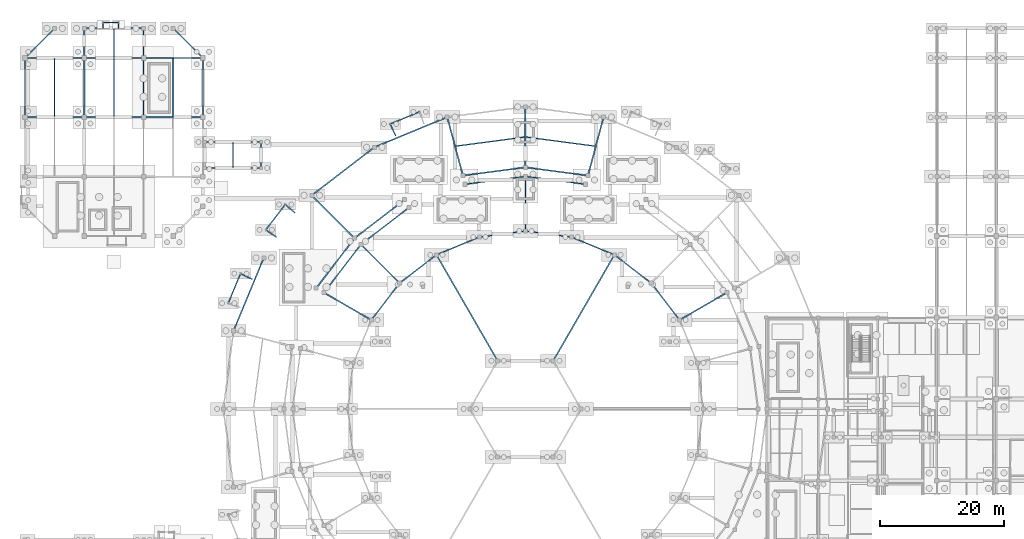
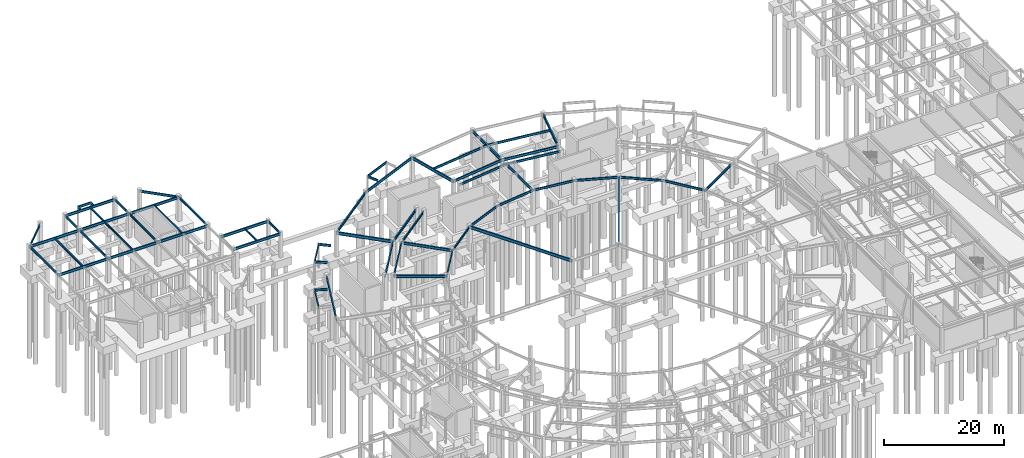
# One storey, part 40 of 55: 64 beams.
"""IFC4 building model written with IfcOpenShell, lengths in metres."""

from ifc_helpers import new_model, si_unit, direction, frame, origin, origin_2d, place, context, subcontext, project, spatial, i_section, extrude, material, material_profile, profile_set, type_object, element, save


model = new_model("IFC4")

# Units and contexts
model_context = context("Model", 3, precision=1e-05, world=origin(), true_north=direction((0.0, 1.0)))
body_context = subcontext(model_context, "Body", "Model", "MODEL_VIEW")
ifc_project = project(units=[si_unit("LENGTHUNIT", "METRE"), si_unit("AREAUNIT", "SQUARE_METRE"), si_unit("VOLUMEUNIT", "CUBIC_METRE"), si_unit("PLANEANGLEUNIT", "RADIAN"), si_unit("MASSUNIT", "GRAM", prefix="KILO")], contexts=[model_context])

# Site, building, storey
site_placement = place(None, origin())
site = spatial("IfcSite", under=ifc_project, at=site_placement, CompositionType="ELEMENT")
building_placement = place(site_placement, origin())
building = spatial("IfcBuilding", under=site, at=building_placement, Name="Almandine Court Research Institute", CompositionType="ELEMENT")
storey_placement = place(building_placement, frame((0.0, 0.0, -5.25)))
storey = spatial("IfcBuildingStorey", under=building, at=storey_placement, Name="B1", CompositionType="ELEMENT", Elevation=-5.25)

# Beams
ifc_material = material(Name="Steel ASTM A992 Grade 50", Category="steel")
ifc_material_profile_1 = material_profile(ifc_material, i_section(OverallWidth=0.18994140625, OverallDepth=0.45703125, WebThickness=0.009033203125, FlangeThickness=0.014892578125, at=origin_2d()), Name="W460x74")
ifc_profile_set_1 = profile_set([ifc_material_profile_1], Name="Steel ASTM A992 Grade 50")
beam_type_1 = type_object("IfcBeamType", Name="Beam-B-01", PredefinedType="BEAM", material=ifc_profile_set_1)
for number, where, z_axis, x_axis, name in (
    (1, (6.0, 103.199951171875, 4.701904296875), (0.0, 1.0, 0.0), (-1.0, 0.0, 0.0), "B1 V3 Primary Y Girder"),
    (2, (15.60009765625, 103.199951171875, 4.701904296875), (0.0, 1.0, 0.0), (-1.0, 0.0, 0.0), "B1 V3 Primary Y Girder"),
    (3, (25.199951171875, 103.199951171875, 4.701904296875), (0.0, 1.0, 0.0), (-1.0, 0.0, 0.0), "B1 V3 Primary Y Girder"),
    (4, (34.800048828125, 103.199951171875, 4.701904296875), (0.0, 1.0, 0.0), (-1.0, 0.0, 0.0), "B1 V3 Primary Y Girder"),
):
    element("IfcBeam", number, at=place(storey_placement, frame(where, z_axis=z_axis, x_axis=x_axis)), inside=storey, type_object=beam_type_1, Name=name, PredefinedType="BEAM", context=body_context, shape_type="SweptSolid", body=[
        extrude(i_section(OverallWidth=0.18994140625, OverallDepth=0.45703125, WebThickness=0.009033203125, FlangeThickness=0.014892578125, at=origin_2d()), origin(), (0.0, 0.0, 1.0), 9.60009765625),
    ])
for number, where, z_axis, x_axis, name in (
    (5, (15.60009765625, 112.800048828125, 4.701904296875), (0.0, 1.0, 0.0), (-1.0, 0.0, 0.0), "B1 V3 Primary Y Girder"),
    (6, (25.199951171875, 112.800048828125, 4.701904296875), (0.0, 1.0, 0.0), (-1.0, 0.0, 0.0), "B1 V3 Primary Y Girder"),
):
    element("IfcBeam", number, at=place(storey_placement, frame(where, z_axis=z_axis, x_axis=x_axis)), inside=storey, type_object=beam_type_1, Name=name, PredefinedType="BEAM", context=body_context, shape_type="SweptSolid", body=[
        extrude(i_section(OverallWidth=0.18994140625, OverallDepth=0.45703125, WebThickness=0.009033203125, FlangeThickness=0.014892578125, at=origin_2d()), origin(), (0.0, 0.0, 1.0), 4.800048828125),
    ])
beam_1_placement = place(storey_placement, frame((44.199951171875, 95.0, 4.77099609375), z_axis=(0.0, 1.0, 0.0), x_axis=(-1.0, 0.0, 0.0)))
element("IfcBeam", 7, at=beam_1_placement, inside=storey, type_object=beam_type_1, Name="B1 DAL-NW Primary Y Girder", PredefinedType="BEAM", context=body_context, shape_type="SweptSolid", body=[
    extrude(i_section(OverallWidth=0.18994140625, OverallDepth=0.45703125, WebThickness=0.009033203125, FlangeThickness=0.014892578125, at=origin_2d()), origin(), (0.0, 0.0, 1.0), 4.199951171875),
])
for number, where, z_axis, x_axis, name in (
    (8, (98.27197265625, 98.531982421875, 4.77099609375), (-0.991446610594, 0.130512904889, 0.0), (-0.130512904889, -0.991446610594, 0.0), "B1 Drum MID Ring Beam 05"),
    (9, (86.8798828125, 100.0, 4.77099609375), (-0.991446610594, -0.130512904889, 0.0), (0.130512904889, -0.991446610594, 0.0), "B1 Drum MID Ring Beam 06"),
):
    element("IfcBeam", number, at=place(storey_placement, frame(where, z_axis=z_axis, x_axis=x_axis)), inside=storey, type_object=beam_type_1, Name=name, PredefinedType="BEAM", context=body_context, shape_type="SweptSolid", body=[
        extrude(i_section(OverallWidth=0.18994140625, OverallDepth=0.45703125, WebThickness=0.009033203125, FlangeThickness=0.014892578125, at=origin_2d()), origin(), (0.0, 0.0, 1.0), 11.248046875),
    ])
for number, where, z_axis, x_axis, name in (
    (10, (111.94189453125, 70.39990234375, 4.77099609375), (-0.608738941187, 0.793370595297, 0.0), (-0.793370595297, -0.608738941187, 0.0), "B1 Atrium Gallery Edge Beam"),
    (11, (107.364990234375, 76.364990234375, 4.77099609375), (-0.793370595297, 0.608738941187, 0.0), (-0.608738941187, -0.793370595297, 0.0), "B1 Atrium Gallery Edge Beam"),
):
    element("IfcBeam", number, at=place(storey_placement, frame(where, z_axis=z_axis, x_axis=x_axis)), inside=storey, type_object=beam_type_1, Name=name, PredefinedType="BEAM", context=body_context, shape_type="SweptSolid", body=[
        extrude(i_section(OverallWidth=0.18994140625, OverallDepth=0.45703125, WebThickness=0.009033203125, FlangeThickness=0.014892578125, at=origin_2d()), origin(), (0.0, 0.0, 1.0), 7.5185546875),
    ])
beam_2_placement = place(storey_placement, frame((101.39990234375, 80.94189453125, 4.77099609375), z_axis=(-0.923872366395, 0.382700732442, 0.0), x_axis=(-0.382700732442, -0.923872366395, 0.0)))
element("IfcBeam", 12, at=beam_2_placement, inside=storey, type_object=beam_type_1, Name="B1 Atrium Gallery Edge Beam", PredefinedType="BEAM", context=body_context, shape_type="SweptSolid", body=[
    extrude(i_section(OverallWidth=0.18994140625, OverallDepth=0.45703125, WebThickness=0.009033203125, FlangeThickness=0.014892578125, at=origin_2d()), origin(), (0.0, 0.0, 1.0), 7.51806640625),
])
beam_3_placement = place(storey_placement, frame((96.7451171875, 92.366943359375, 4.77099609375), z_axis=(-0.991444993461, 0.130525188913, 0.0), x_axis=(-0.130525188913, -0.991444993461, 0.0)))
element("IfcBeam", 13, at=beam_3_placement, inside=storey, type_object=beam_type_1, Name="B1 Atrium Outer Ring Beam", PredefinedType="BEAM", context=body_context, shape_type="SweptSolid", body=[
    extrude(i_section(OverallWidth=0.18994140625, OverallDepth=0.45703125, WebThickness=0.009033203125, FlangeThickness=0.014892578125, at=origin_2d()), origin(), (0.0, 0.0, 1.0), 9.8291015625),
])
beam_4_placement = place(storey_placement, frame((94.4541015625, 83.819091796875, 4.77099609375), z_axis=(-0.991451642713, 0.130474672489, 0.0), x_axis=(-0.130474672489, -0.991451642713, 0.0)))
element("IfcBeam", 14, at=beam_4_placement, inside=storey, type_object=beam_type_1, Name="B1 Atrium Gallery Edge Beam", PredefinedType="BEAM", context=body_context, shape_type="SweptSolid", body=[
    extrude(i_section(OverallWidth=0.18994140625, OverallDepth=0.45703125, WebThickness=0.009033203125, FlangeThickness=0.014892578125, at=origin_2d()), origin(), (0.0, 0.0, 1.0), 7.518310546875),
])
beam_5_placement = place(storey_placement, frame((87.0, 93.64990234375, 4.77099609375), z_axis=(-0.991444993461, -0.130525188913, 0.0), x_axis=(0.130525188913, -0.991444993461, 0.0)))
element("IfcBeam", 15, at=beam_5_placement, inside=storey, type_object=beam_type_1, Name="B1 Atrium Outer Ring Beam", PredefinedType="BEAM", context=body_context, shape_type="SweptSolid", body=[
    extrude(i_section(OverallWidth=0.18994140625, OverallDepth=0.45703125, WebThickness=0.009033203125, FlangeThickness=0.014892578125, at=origin_2d()), origin(), (0.0, 0.0, 1.0), 9.8291015625),
])
beam_6_placement = place(storey_placement, frame((87.0, 84.800048828125, 4.77099609375), z_axis=(-0.991451642713, -0.130474672489, 0.0), x_axis=(0.130474672489, -0.991451642713, 0.0)))
element("IfcBeam", 16, at=beam_6_placement, inside=storey, type_object=beam_type_1, Name="B1 Atrium Gallery Edge Beam", PredefinedType="BEAM", context=body_context, shape_type="SweptSolid", body=[
    extrude(i_section(OverallWidth=0.18994140625, OverallDepth=0.45703125, WebThickness=0.009033203125, FlangeThickness=0.014892578125, at=origin_2d()), origin(), (0.0, 0.0, 1.0), 7.518310546875),
])
beam_7_placement = place(storey_placement, frame((79.5458984375, 83.819091796875, 4.77099609375), z_axis=(-0.923872366395, -0.382700732442, 0.0), x_axis=(0.382700732442, -0.923872366395, 0.0)))
element("IfcBeam", 17, at=beam_7_placement, inside=storey, type_object=beam_type_1, Name="B1 Atrium Gallery Edge Beam", PredefinedType="BEAM", context=body_context, shape_type="SweptSolid", body=[
    extrude(i_section(OverallWidth=0.18994140625, OverallDepth=0.45703125, WebThickness=0.009033203125, FlangeThickness=0.014892578125, at=origin_2d()), origin(), (0.0, 0.0, 1.0), 7.51806640625),
])
beam_8_placement = place(storey_placement, frame((68.175048828125, 88.60595703125, 4.77099609375), z_axis=(-0.793391623282, -0.608711534396, 0.0), x_axis=(0.608711534396, -0.793391623282, 0.0)))
element("IfcBeam", 18, at=beam_8_placement, inside=storey, type_object=beam_type_1, Name="B1 Atrium Outer Ring Beam", PredefinedType="BEAM", context=body_context, shape_type="SweptSolid", body=[
    extrude(i_section(OverallWidth=0.18994140625, OverallDepth=0.45703125, WebThickness=0.009033203125, FlangeThickness=0.014892578125, at=origin_2d()), origin(), (0.0, 0.0, 1.0), 9.828857421875),
])
beam_9_placement = place(storey_placement, frame((72.60009765625, 80.94189453125, 4.77099609375), z_axis=(-0.793370595297, -0.608738941187, 0.0), x_axis=(0.608738941187, -0.793370595297, 0.0)))
element("IfcBeam", 19, at=beam_9_placement, inside=storey, type_object=beam_type_1, Name="B1 Atrium Gallery Edge Beam", PredefinedType="BEAM", context=body_context, shape_type="SweptSolid", body=[
    extrude(i_section(OverallWidth=0.18994140625, OverallDepth=0.45703125, WebThickness=0.009033203125, FlangeThickness=0.014892578125, at=origin_2d()), origin(), (0.0, 0.0, 1.0), 7.5185546875),
])
beam_10_placement = place(storey_placement, frame((60.376953125, 82.623046875, 4.77099609375), z_axis=(-0.608711534396, -0.793391623282, 0.0), x_axis=(0.793391623282, -0.608711534396, 0.0)))
element("IfcBeam", 20, at=beam_10_placement, inside=storey, type_object=beam_type_1, Name="B1 Atrium Outer Ring Beam", PredefinedType="BEAM", context=body_context, shape_type="SweptSolid", body=[
    extrude(i_section(OverallWidth=0.18994140625, OverallDepth=0.45703125, WebThickness=0.009033203125, FlangeThickness=0.014892578125, at=origin_2d()), origin(), (0.0, 0.0, 1.0), 9.828857421875),
])
beam_11_placement = place(storey_placement, frame((66.635009765625, 76.364990234375, 4.77099609375), z_axis=(-0.608738941187, -0.793370595297, 0.0), x_axis=(0.793370595297, -0.608738941187, 0.0)))
element("IfcBeam", 21, at=beam_11_placement, inside=storey, type_object=beam_type_1, Name="B1 Atrium Gallery Edge Beam", PredefinedType="BEAM", context=body_context, shape_type="SweptSolid", body=[
    extrude(i_section(OverallWidth=0.18994140625, OverallDepth=0.45703125, WebThickness=0.009033203125, FlangeThickness=0.014892578125, at=origin_2d()), origin(), (0.0, 0.0, 1.0), 7.5185546875),
])
for number, where, z_axis, x_axis, name in (
    (22, (18.64990234375, 118.550048828125, 4.822021484375), (0.0, -1.0, 0.0), (1.0, 0.0, 0.0), "B1 Threshold Support Beam PAD-V3-N2-1"),
    (23, (21.14990234375, 118.550048828125, 4.822021484375), (0.0, -1.0, 0.0), (1.0, 0.0, 0.0), "B1 Threshold Support Beam PAD-V3-N2-2"),
):
    element("IfcBeam", number, at=place(storey_placement, frame(where, z_axis=z_axis, x_axis=x_axis)), inside=storey, type_object=beam_type_1, Name=name, PredefinedType="BEAM", context=body_context, shape_type="SweptSolid", body=[
        extrude(i_section(OverallWidth=0.18994140625, OverallDepth=0.45703125, WebThickness=0.009033203125, FlangeThickness=0.014892578125, at=origin_2d()), origin(), (0.0, 0.0, 1.0), 0.949951171875),
    ])
beam_12_placement = place(storey_placement, frame((18.64990234375, 118.550048828125, 4.822021484375), z_axis=(1.0, 0.0, 0.0), x_axis=(0.0, 1.0, 0.0)))
element("IfcBeam", 24, at=beam_12_placement, inside=storey, type_object=beam_type_1, Name="B1 Threshold Edge Girder PAD-V3-N2-1", PredefinedType="BEAM", context=body_context, shape_type="SweptSolid", body=[
    extrude(i_section(OverallWidth=0.18994140625, OverallDepth=0.45703125, WebThickness=0.009033203125, FlangeThickness=0.014892578125, at=origin_2d()), origin(), (0.0, 0.0, 1.0), 2.5),
])
beam_13_placement = place(storey_placement, frame((65.10302734375, 102.114990234375, 4.76904296875), z_axis=(0.42878428268, -0.903406906619, 0.0), x_axis=(0.903406906619, 0.42878428268, 0.0)))
element("IfcBeam", 25, at=beam_13_placement, inside=storey, type_object=beam_type_1, Name="B1 Drum Threshold Radial Beam PAD-DRUM-S07-2", PredefinedType="BEAM", context=body_context, shape_type="SweptSolid", body=[
    extrude(i_section(OverallWidth=0.18994140625, OverallDepth=0.45703125, WebThickness=0.009033203125, FlangeThickness=0.014892578125, at=origin_2d()), origin(), (0.0, 0.0, 1.0), 2.119873046875),
])
beam_14_placement = place(storey_placement, frame((69.875, 104.092041015625, 4.822021484375), z_axis=(-0.923849755834, -0.382755311713, 0.0), x_axis=(0.382755311713, -0.923849755834, 0.0)))
element("IfcBeam", 26, at=beam_14_placement, inside=storey, type_object=beam_type_1, Name="B1 Drum Threshold Edge Beam PAD-DRUM-S07", PredefinedType="BEAM", context=body_context, shape_type="SweptSolid", body=[
    extrude(i_section(OverallWidth=0.18994140625, OverallDepth=0.45703125, WebThickness=0.009033203125, FlangeThickness=0.014892578125, at=origin_2d()), origin(), (0.0, 0.0, 1.0), 5.165283203125),
])
beam_15_placement = place(storey_placement, frame((48.123046875, 89.0869140625, 4.76904296875), z_axis=(0.761640946437, -0.647999281413, 0.0), x_axis=(0.647999281413, 0.761640946437, 0.0)))
element("IfcBeam", 27, at=beam_15_placement, inside=storey, type_object=beam_type_1, Name="B1 Drum Threshold Radial Beam PAD-DRUM-S09-1", PredefinedType="BEAM", context=body_context, shape_type="SweptSolid", body=[
    extrude(i_section(OverallWidth=0.18994140625, OverallDepth=0.45703125, WebThickness=0.009033203125, FlangeThickness=0.014892578125, at=origin_2d()), origin(), (0.0, 0.0, 1.0), 2.120361328125),
])
beam_16_placement = place(storey_placement, frame((44.97900390625, 84.988037109375, 4.76904296875), z_axis=(0.82330187502, -0.56760375491, 0.0), x_axis=(0.56760375491, 0.82330187502, 0.0)))
element("IfcBeam", 28, at=beam_16_placement, inside=storey, type_object=beam_type_1, Name="B1 Drum Threshold Radial Beam PAD-DRUM-S09-2", PredefinedType="BEAM", context=body_context, shape_type="SweptSolid", body=[
    extrude(i_section(OverallWidth=0.18994140625, OverallDepth=0.45703125, WebThickness=0.009033203125, FlangeThickness=0.014892578125, at=origin_2d()), origin(), (0.0, 0.0, 1.0), 2.11962890625),
])
beam_17_placement = place(storey_placement, frame((48.123046875, 89.0869140625, 4.822021484375), z_axis=(-0.608623016028, -0.793459529126, 0.0), x_axis=(0.793459529126, -0.608623016028, 0.0)))
element("IfcBeam", 29, at=beam_17_placement, inside=storey, type_object=beam_type_1, Name="B1 Drum Threshold Edge Beam PAD-DRUM-S09", PredefinedType="BEAM", context=body_context, shape_type="SweptSolid", body=[
    extrude(i_section(OverallWidth=0.18994140625, OverallDepth=0.45703125, WebThickness=0.009033203125, FlangeThickness=0.014892578125, at=origin_2d()), origin(), (0.0, 0.0, 1.0), 5.165771484375),
])
beam_18_placement = place(storey_placement, frame((40.885009765625, 77.89697265625, 4.76904296875), z_axis=(0.903406906619, -0.42878428268, 0.0), x_axis=(0.42878428268, 0.903406906619, 0.0)))
element("IfcBeam", 30, at=beam_18_placement, inside=storey, type_object=beam_type_1, Name="B1 Drum Threshold Radial Beam PAD-DRUM-S10-1", PredefinedType="BEAM", context=body_context, shape_type="SweptSolid", body=[
    extrude(i_section(OverallWidth=0.18994140625, OverallDepth=0.45703125, WebThickness=0.009033203125, FlangeThickness=0.014892578125, at=origin_2d()), origin(), (0.0, 0.0, 1.0), 2.119873046875),
])
beam_19_placement = place(storey_placement, frame((40.885009765625, 77.89697265625, 4.822021484375), z_axis=(-0.382755311713, -0.923849755834, 0.0), x_axis=(0.923849755834, -0.382755311713, 0.0)))
element("IfcBeam", 31, at=beam_19_placement, inside=storey, type_object=beam_type_1, Name="B1 Drum Threshold Edge Beam PAD-DRUM-S10", PredefinedType="BEAM", context=body_context, shape_type="SweptSolid", body=[
    extrude(i_section(OverallWidth=0.18994140625, OverallDepth=0.45703125, WebThickness=0.009033203125, FlangeThickness=0.014892578125, at=origin_2d()), origin(), (0.0, 0.0, 1.0), 5.165283203125),
])
ifc_material_profile_2 = material_profile(ifc_material, i_section(OverallWidth=0.178955078125, OverallDepth=0.409912109375, WebThickness=0.009033203125, FlangeThickness=0.013916015625, at=origin_2d()), Name="W410x67")
ifc_profile_set_2 = profile_set([ifc_material_profile_2], Name="Steel ASTM A992 Grade 50")
beam_type_2 = type_object("IfcBeamType", Name="Beam-B-02", PredefinedType="JOIST", material=ifc_profile_set_2)
for number, where, z_axis, x_axis, name in (
    (32, (10.800048828125, 103.302978515625, 4.72509765625), (0.0, 1.0, 0.0), (-1.0, 0.0, 0.0), "B1 V3 Composite Secondary Beam"),
    (33, (20.39990234375, 103.302978515625, 4.72509765625), (0.0, 1.0, 0.0), (-1.0, 0.0, 0.0), "B1 V3 Composite Secondary Beam"),
    (34, (30.0, 103.302978515625, 4.72509765625), (0.0, 1.0, 0.0), (-1.0, 0.0, 0.0), "B1 V3 Composite Secondary Beam"),
):
    element("IfcBeam", number, at=place(storey_placement, frame(where, z_axis=z_axis, x_axis=x_axis)), inside=storey, type_object=beam_type_2, Name=name, PredefinedType="JOIST", context=body_context, shape_type="SweptSolid", body=[
        extrude(i_section(OverallWidth=0.178955078125, OverallDepth=0.409912109375, WebThickness=0.009033203125, FlangeThickness=0.013916015625, at=origin_2d()), origin(), (0.0, 0.0, 1.0), 9.39404296875),
    ])
ifc_material_profile_3 = material_profile(ifc_material, i_section(OverallWidth=0.172119140625, OverallDepth=0.35791015625, WebThickness=0.008056640625, FlangeThickness=0.012939453125, at=origin_2d()), Name="W360x57")
ifc_profile_set_3 = profile_set([ifc_material_profile_3], Name="Steel ASTM A992 Grade 50")
beam_type_3 = type_object("IfcBeamType", Name="Beam-B-03", PredefinedType="JOIST", material=ifc_profile_set_3)
beam_20_placement = place(storey_placement, frame((20.39990234375, 112.903076171875, 4.7509765625), z_axis=(0.0, 1.0, 0.0), x_axis=(-1.0, 0.0, 0.0)))
element("IfcBeam", 35, at=beam_20_placement, inside=storey, type_object=beam_type_3, Name="B1 V3 Composite Secondary Beam", PredefinedType="JOIST", context=body_context, shape_type="SweptSolid", body=[
    extrude(i_section(OverallWidth=0.172119140625, OverallDepth=0.35791015625, WebThickness=0.008056640625, FlangeThickness=0.012939453125, at=origin_2d()), origin(), (0.0, 0.0, 1.0), 4.593017578125),
])
beam_21_placement = place(storey_placement, frame((39.64990234375, 95.10302734375, 4.821044921875), z_axis=(0.0, 1.0, 0.0), x_axis=(-1.0, 0.0, 0.0)))
element("IfcBeam", 36, at=beam_21_placement, inside=storey, type_object=beam_type_3, Name="B1 DAL-NW Composite Secondary Beam", PredefinedType="JOIST", context=body_context, shape_type="SweptSolid", body=[
    extrude(i_section(OverallWidth=0.172119140625, OverallDepth=0.35791015625, WebThickness=0.008056640625, FlangeThickness=0.012939453125, at=origin_2d()), origin(), (0.0, 0.0, 1.0), 3.993896484375),
])
ifc_material_profile_4 = material_profile(ifc_material, i_section(OverallWidth=0.22998046875, OverallDepth=0.616943359375, WebThickness=0.012939453125, FlangeThickness=0.02197265625, at=origin_2d()), Name="W610x140")
ifc_profile_set_4 = profile_set([ifc_material_profile_4], Name="Steel ASTM A992 Grade 50")
beam_type_4 = type_object("IfcBeamType", Name="Beam-G-02", PredefinedType="BEAM", material=ifc_profile_set_4)
beam_22_placement = place(storey_placement, frame((97.1201171875, 93.76806640625, 4.69189453125), z_axis=(0.258774274024, 0.965937821551, 0.0), x_axis=(-0.965937821551, 0.258774274024, 0.0)))
element("IfcBeam", 37, at=beam_22_placement, inside=storey, type_object=beam_type_4, Name="B1 Drum Radial Girder 05", PredefinedType="BEAM", context=body_context, shape_type="SweptSolid", body=[
    extrude(i_section(OverallWidth=0.22998046875, OverallDepth=0.616943359375, WebThickness=0.012939453125, FlangeThickness=0.02197265625, at=origin_2d()), origin(), (0.0, 0.0, 1.0), 9.799560546875),
])
beam_23_placement = place(storey_placement, frame((87.0, 95.10009765625, 4.69189453125), z_axis=(0.0, 1.0, 0.0), x_axis=(-1.0, 0.0, 0.0)))
element("IfcBeam", 38, at=beam_23_placement, inside=storey, type_object=beam_type_4, Name="B1 Drum Radial Girder 06", PredefinedType="BEAM", context=body_context, shape_type="SweptSolid", body=[
    extrude(i_section(OverallWidth=0.22998046875, OverallDepth=0.616943359375, WebThickness=0.012939453125, FlangeThickness=0.02197265625, at=origin_2d()), origin(), (0.0, 0.0, 1.0), 9.7998046875),
])
beam_24_placement = place(storey_placement, frame((76.8798828125, 93.76806640625, 4.69189453125), z_axis=(-0.258774274024, 0.965937821551, 0.0), x_axis=(-0.965937821551, -0.258774274024, 0.0)))
element("IfcBeam", 39, at=beam_24_placement, inside=storey, type_object=beam_type_4, Name="B1 Drum Radial Girder 07", PredefinedType="BEAM", context=body_context, shape_type="SweptSolid", body=[
    extrude(i_section(OverallWidth=0.22998046875, OverallDepth=0.616943359375, WebThickness=0.012939453125, FlangeThickness=0.02197265625, at=origin_2d()), origin(), (0.0, 0.0, 1.0), 9.799560546875),
])
beam_25_placement = place(storey_placement, frame((59.35205078125, 83.64794921875, 4.69189453125), z_axis=(-0.707106781187, 0.707106781187, 0.0), x_axis=(-0.707106781187, -0.707106781187, 0.0)))
element("IfcBeam", 40, at=beam_25_placement, inside=storey, type_object=beam_type_4, Name="B1 Drum Radial Girder 09", PredefinedType="BEAM", context=body_context, shape_type="SweptSolid", body=[
    extrude(i_section(OverallWidth=0.22998046875, OverallDepth=0.616943359375, WebThickness=0.012939453125, FlangeThickness=0.02197265625, at=origin_2d()), origin(), (0.0, 0.0, 1.0), 9.80029296875),
])
ifc_material_profile_5 = material_profile(ifc_material, i_section(OverallWidth=0.22802734375, OverallDepth=0.60791015625, WebThickness=0.010986328125, FlangeThickness=0.01708984375, at=origin_2d()), Name="W610x113")
ifc_profile_set_5 = profile_set([ifc_material_profile_5], Name="Steel ASTM A992 Grade 50")
beam_type_5 = type_object("IfcBeamType", Name="Beam-G-03", PredefinedType="BEAM", material=ifc_profile_set_5)
for number, where, z_axis, x_axis, name in (
    (41, (91.5, 63.7939453125, 4.696044921875), (0.499982168773, 0.866035698404, 0.0), (-0.866035698404, 0.499982168773, 0.0), "B1 Atrium Radial Tie Girder"),
    (42, (82.5, 63.7939453125, 4.696044921875), (-0.499982168773, 0.866035698404, 0.0), (-0.866035698404, -0.499982168773, 0.0), "B1 Atrium Radial Tie Girder"),
):
    element("IfcBeam", number, at=place(storey_placement, frame(where, z_axis=z_axis, x_axis=x_axis)), inside=storey, type_object=beam_type_5, Name=name, PredefinedType="BEAM", context=body_context, shape_type="SweptSolid", body=[
        extrude(i_section(OverallWidth=0.22802734375, OverallDepth=0.60791015625, WebThickness=0.010986328125, FlangeThickness=0.01708984375, at=origin_2d()), origin(), (0.0, 0.0, 1.0), 19.800537109375),
    ])
ifc_material_profile_6 = material_profile(ifc_material, i_section(OverallWidth=0.2109375, OverallDepth=0.5390625, WebThickness=0.011962890625, FlangeThickness=0.01904296875, at=origin_2d()), Name="W530x109")
ifc_profile_set_6 = profile_set([ifc_material_profile_6], Name="Steel ASTM A992 Grade 50")
beam_type_6 = type_object("IfcBeamType", Name="Beam-G-04", PredefinedType="BEAM", material=ifc_profile_set_6)
beam_26_placement = place(storey_placement, frame((6.0, 103.199951171875, 4.659912109375), z_axis=(1.0, 0.0, 0.0), x_axis=(0.0, 1.0, 0.0)))
element("IfcBeam", 43, at=beam_26_placement, inside=storey, type_object=beam_type_6, Name="B1 V3 Primary X Girder", PredefinedType="BEAM", context=body_context, shape_type="SweptSolid", body=[
    extrude(i_section(OverallWidth=0.2109375, OverallDepth=0.5390625, WebThickness=0.011962890625, FlangeThickness=0.01904296875, at=origin_2d()), origin(), (0.0, 0.0, 1.0), 9.60009765625),
])
beam_27_placement = place(storey_placement, frame((15.60009765625, 103.199951171875, 4.659912109375), z_axis=(1.0, 0.0, 0.0), x_axis=(0.0, 1.0, 0.0)))
element("IfcBeam", 44, at=beam_27_placement, inside=storey, type_object=beam_type_6, Name="B1 V3 Primary X Girder", PredefinedType="BEAM", context=body_context, shape_type="SweptSolid", body=[
    extrude(i_section(OverallWidth=0.2109375, OverallDepth=0.5390625, WebThickness=0.011962890625, FlangeThickness=0.01904296875, at=origin_2d()), origin(), (0.0, 0.0, 1.0), 9.599853515625),
])
for number, where, z_axis, x_axis, name in (
    (45, (25.199951171875, 103.199951171875, 4.659912109375), (1.0, 0.0, 0.0), (0.0, 1.0, 0.0), "B1 V3 Primary X Girder"),
    (46, (6.0, 112.800048828125, 4.659912109375), (1.0, 0.0, 0.0), (0.0, 1.0, 0.0), "B1 V3 Primary X Girder"),
):
    element("IfcBeam", number, at=place(storey_placement, frame(where, z_axis=z_axis, x_axis=x_axis)), inside=storey, type_object=beam_type_6, Name=name, PredefinedType="BEAM", context=body_context, shape_type="SweptSolid", body=[
        extrude(i_section(OverallWidth=0.2109375, OverallDepth=0.5390625, WebThickness=0.011962890625, FlangeThickness=0.01904296875, at=origin_2d()), origin(), (0.0, 0.0, 1.0), 9.60009765625),
    ])
beam_28_placement = place(storey_placement, frame((15.60009765625, 112.800048828125, 4.659912109375), z_axis=(1.0, 0.0, 0.0), x_axis=(0.0, 1.0, 0.0)))
element("IfcBeam", 47, at=beam_28_placement, inside=storey, type_object=beam_type_6, Name="B1 V3 Primary X Girder", PredefinedType="BEAM", context=body_context, shape_type="SweptSolid", body=[
    extrude(i_section(OverallWidth=0.2109375, OverallDepth=0.5390625, WebThickness=0.011962890625, FlangeThickness=0.01904296875, at=origin_2d()), origin(), (0.0, 0.0, 1.0), 9.599853515625),
])
beam_29_placement = place(storey_placement, frame((25.199951171875, 112.800048828125, 4.659912109375), z_axis=(1.0, 0.0, 0.0), x_axis=(0.0, 1.0, 0.0)))
element("IfcBeam", 48, at=beam_29_placement, inside=storey, type_object=beam_type_6, Name="B1 V3 Primary X Girder", PredefinedType="BEAM", context=body_context, shape_type="SweptSolid", body=[
    extrude(i_section(OverallWidth=0.2109375, OverallDepth=0.5390625, WebThickness=0.011962890625, FlangeThickness=0.01904296875, at=origin_2d()), origin(), (0.0, 0.0, 1.0), 9.60009765625),
])
beam_30_placement = place(storey_placement, frame((15.60009765625, 117.60009765625, 4.659912109375), z_axis=(1.0, 0.0, 0.0), x_axis=(0.0, 1.0, 0.0)))
element("IfcBeam", 49, at=beam_30_placement, inside=storey, type_object=beam_type_6, Name="B1 V3 Primary X Girder", PredefinedType="BEAM", context=body_context, shape_type="SweptSolid", body=[
    extrude(i_section(OverallWidth=0.2109375, OverallDepth=0.5390625, WebThickness=0.011962890625, FlangeThickness=0.01904296875, at=origin_2d()), origin(), (0.0, 0.0, 1.0), 9.599853515625),
])
for number, where, z_axis, x_axis, name in (
    (50, (35.10009765625, 95.0, 4.72998046875), (1.0, 0.0, 0.0), (0.0, 1.0, 0.0), "B1 DAL-NW Primary X Girder"),
    (51, (35.10009765625, 99.199951171875, 4.72998046875), (1.0, 0.0, 0.0), (0.0, 1.0, 0.0), "B1 DAL-NW Primary X Girder"),
):
    element("IfcBeam", number, at=place(storey_placement, frame(where, z_axis=z_axis, x_axis=x_axis)), inside=storey, type_object=beam_type_6, Name=name, PredefinedType="BEAM", context=body_context, shape_type="SweptSolid", body=[
        extrude(i_section(OverallWidth=0.2109375, OverallDepth=0.5390625, WebThickness=0.011962890625, FlangeThickness=0.01904296875, at=origin_2d()), origin(), (0.0, 0.0, 1.0), 9.099853515625),
    ])
for number, where, z_axis, x_axis, name in (
    (52, (97.1201171875, 93.76806640625, 4.72998046875), (-0.991448758831, 0.130496584681, 0.0), (-0.130496584681, -0.991448758831, 0.0), "B1 Drum IN Ring Beam 05"),
    (53, (87.0, 95.10009765625, 4.72998046875), (-0.991448758831, -0.130496584681, 0.0), (0.130496584681, -0.991448758831, 0.0), "B1 Drum IN Ring Beam 06"),
):
    element("IfcBeam", number, at=place(storey_placement, frame(where, z_axis=z_axis, x_axis=x_axis)), inside=storey, type_object=beam_type_6, Name=name, PredefinedType="BEAM", context=body_context, shape_type="SweptSolid", body=[
        extrude(i_section(OverallWidth=0.2109375, OverallDepth=0.5390625, WebThickness=0.011962890625, FlangeThickness=0.01904296875, at=origin_2d()), origin(), (0.0, 0.0, 1.0), 10.20751953125),
    ])
beam_31_placement = place(storey_placement, frame((74.343994140625, 103.23388671875, 4.72998046875), z_axis=(-0.923891897665, -0.382653578879, 0.0), x_axis=(0.382653578879, -0.923891897665, 0.0)))
element("IfcBeam", 54, at=beam_31_placement, inside=storey, type_object=beam_type_6, Name="B1 Drum OUT Ring Beam 07", PredefinedType="BEAM", context=body_context, shape_type="SweptSolid", body=[
    extrude(i_section(OverallWidth=0.2109375, OverallDepth=0.5390625, WebThickness=0.011962890625, FlangeThickness=0.01904296875, at=origin_2d()), origin(), (0.0, 0.0, 1.0), 12.765625),
])
beam_32_placement = place(storey_placement, frame((67.449951171875, 89.862060546875, 4.72998046875), z_axis=(-0.793335653042, -0.608784478787, 0.0), x_axis=(0.608784478787, -0.793335653042, 0.0)))
element("IfcBeam", 55, at=beam_32_placement, inside=storey, type_object=beam_type_6, Name="B1 Drum IN Ring Beam 08", PredefinedType="BEAM", context=body_context, shape_type="SweptSolid", body=[
    extrude(i_section(OverallWidth=0.2109375, OverallDepth=0.5390625, WebThickness=0.011962890625, FlangeThickness=0.01904296875, at=origin_2d()), origin(), (0.0, 0.0, 1.0), 10.20751953125),
])
beam_33_placement = place(storey_placement, frame((62.550048828125, 98.34912109375, 4.72998046875), z_axis=(-0.793360662587, -0.608751886289, 0.0), x_axis=(0.608751886289, -0.793360662587, 0.0)))
element("IfcBeam", 56, at=beam_33_placement, inside=storey, type_object=beam_type_6, Name="B1 Drum OUT Ring Beam 08", PredefinedType="BEAM", context=body_context, shape_type="SweptSolid", body=[
    extrude(i_section(OverallWidth=0.2109375, OverallDepth=0.5390625, WebThickness=0.011962890625, FlangeThickness=0.01904296875, at=origin_2d()), origin(), (0.0, 0.0, 1.0), 12.765869140625),
])
beam_34_placement = place(storey_placement, frame((59.35205078125, 83.64794921875, 4.72998046875), z_axis=(-0.608784478787, -0.793335653042, 0.0), x_axis=(0.793335653042, -0.608784478787, 0.0)))
element("IfcBeam", 57, at=beam_34_placement, inside=storey, type_object=beam_type_6, Name="B1 Drum IN Ring Beam 09", PredefinedType="BEAM", context=body_context, shape_type="SweptSolid", body=[
    extrude(i_section(OverallWidth=0.2109375, OverallDepth=0.5390625, WebThickness=0.011962890625, FlangeThickness=0.01904296875, at=origin_2d()), origin(), (0.0, 0.0, 1.0), 10.20751953125),
])
beam_35_placement = place(storey_placement, frame((44.65087890625, 80.449951171875, 4.72998046875), z_axis=(-0.382653578879, -0.923891897665, 0.0), x_axis=(0.923891897665, -0.382653578879, 0.0)))
element("IfcBeam", 58, at=beam_35_placement, inside=storey, type_object=beam_type_6, Name="B1 Drum OUT Ring Beam 10", PredefinedType="BEAM", context=body_context, shape_type="SweptSolid", body=[
    extrude(i_section(OverallWidth=0.2109375, OverallDepth=0.5390625, WebThickness=0.011962890625, FlangeThickness=0.01904296875, at=origin_2d()), origin(), (0.0, 0.0, 1.0), 12.765625),
])
for number, where, z_axis, x_axis, name in (
    (59, (111.94189453125, 70.39990234375, 4.72998046875), (0.866015604063, 0.50001697323, 0.0), (-0.50001697323, 0.866015604063, 0.0), "B1 Atrium Gallery Radial Girder"),
    (60, (87.0, 84.800048828125, 4.72998046875), (0.0, 1.0, 0.0), (-1.0, 0.0, 0.0), "B1 Atrium Gallery Radial Girder"),
):
    element("IfcBeam", number, at=place(storey_placement, frame(where, z_axis=z_axis, x_axis=x_axis)), inside=storey, type_object=beam_type_6, Name=name, PredefinedType="BEAM", context=body_context, shape_type="SweptSolid", body=[
        extrude(i_section(OverallWidth=0.2109375, OverallDepth=0.5390625, WebThickness=0.011962890625, FlangeThickness=0.01904296875, at=origin_2d()), origin(), (0.0, 0.0, 1.0), 8.849853515625),
    ])
beam_36_placement = place(storey_placement, frame((66.635009765625, 76.364990234375, 4.72998046875), z_axis=(-0.707106781187, 0.707106781187, 0.0), x_axis=(-0.707106781187, -0.707106781187, 0.0)))
element("IfcBeam", 61, at=beam_36_placement, inside=storey, type_object=beam_type_6, Name="B1 Atrium Gallery Radial Girder", PredefinedType="BEAM", context=body_context, shape_type="SweptSolid", body=[
    extrude(i_section(OverallWidth=0.2109375, OverallDepth=0.5390625, WebThickness=0.011962890625, FlangeThickness=0.01904296875, at=origin_2d()), origin(), (0.0, 0.0, 1.0), 8.850341796875),
])
beam_37_placement = place(storey_placement, frame((62.05810546875, 70.39990234375, 4.72998046875), z_axis=(-0.866015604063, 0.50001697323, 0.0), x_axis=(-0.50001697323, -0.866015604063, 0.0)))
element("IfcBeam", 62, at=beam_37_placement, inside=storey, type_object=beam_type_6, Name="B1 Atrium Gallery Radial Girder", PredefinedType="BEAM", context=body_context, shape_type="SweptSolid", body=[
    extrude(i_section(OverallWidth=0.2109375, OverallDepth=0.5390625, WebThickness=0.011962890625, FlangeThickness=0.01904296875, at=origin_2d()), origin(), (0.0, 0.0, 1.0), 8.849853515625),
])
ifc_material_profile_7 = material_profile(ifc_material, i_section(OverallWidth=0.193115234375, OverallDepth=0.466064453125, WebThickness=0.010986328125, FlangeThickness=0.01904296875, at=origin_2d()), Name="W460x97")
ifc_profile_set_7 = profile_set([ifc_material_profile_7], Name="Steel ASTM A992 Grade 50")
beam_type_7 = type_object("IfcBeamType", Name="Beam-G-06", PredefinedType="SPANDREL", material=ifc_profile_set_7)
for number, where, z_axis, x_axis, name in (
    (63, (34.800048828125, 112.800048828125, 4.697021484375), (-0.707106781187, 0.707106781187, 0.0), (-0.707106781187, -0.707106781187, 0.0), "B1 V3 Octagonal Chamfer Spandrel"),
    (64, (10.800048828125, 117.60009765625, 4.697021484375), (-0.707106781187, -0.707106781187, 0.0), (0.707106781187, -0.707106781187, 0.0), "B1 V3 Octagonal Chamfer Spandrel"),
):
    element("IfcBeam", number, at=place(storey_placement, frame(where, z_axis=z_axis, x_axis=x_axis)), inside=storey, type_object=beam_type_7, Name=name, PredefinedType="SPANDREL", context=body_context, shape_type="SweptSolid", body=[
        extrude(i_section(OverallWidth=0.193115234375, OverallDepth=0.466064453125, WebThickness=0.010986328125, FlangeThickness=0.01904296875, at=origin_2d()), origin(), (0.0, 0.0, 1.0), 6.788330078125),
    ])

save(model, "model.ifc")
